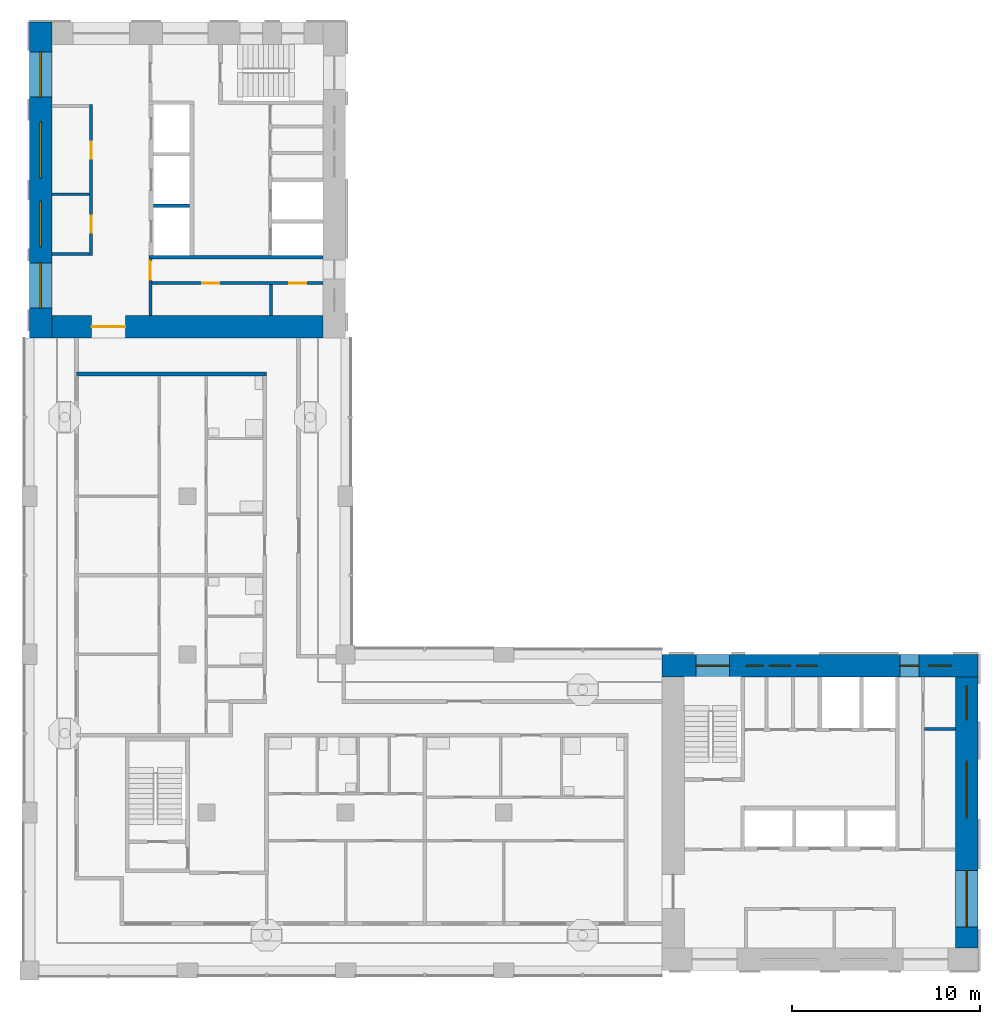
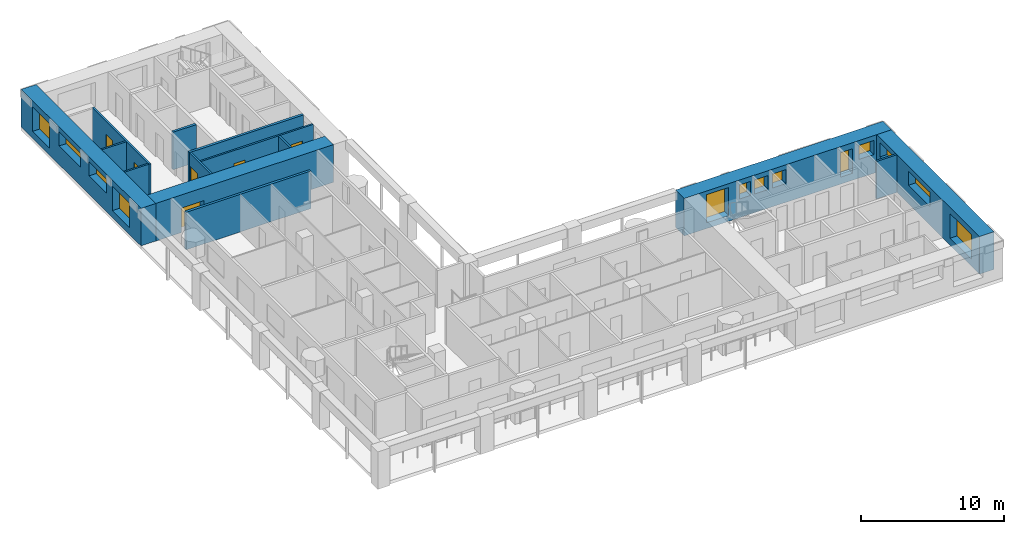
# One storey, part 5 of 12: 14 walls, 13 windows, 6 doors, 19 openings.
"""IFC4 building model written with IfcOpenShell, lengths in metres."""

from ifc_helpers import new_model, si_unit, direction, frame, frame_2d, origin, place, context, subcontext, project, spatial, rectangle, extrude, material, layer, layer_set, type_object, element, fill, save


model = new_model("IFC4")

# Units and contexts
model_context = context("Model", 3, precision=1e-05, world=origin(), true_north=direction((0.0, 1.0)))
body_context = subcontext(model_context, "Body", "Model", "MODEL_VIEW")
ifc_project = project(units=[si_unit("LENGTHUNIT", "METRE"), si_unit("AREAUNIT", "SQUARE_METRE"), si_unit("VOLUMEUNIT", "CUBIC_METRE"), si_unit("PLANEANGLEUNIT", "RADIAN"), si_unit("MASSUNIT", "GRAM", prefix="KILO")], contexts=[model_context])

# Site, building, storey
site_placement = place(None, origin())
site = spatial("IfcSite", under=ifc_project, at=site_placement, CompositionType="ELEMENT")
building_placement = place(site_placement, origin())
building = spatial("IfcBuilding", under=site, at=building_placement, Name="Vermilion Gate Residences", CompositionType="ELEMENT")
storey_placement = place(building_placement, frame((0.0, 0.0, 214.199951171875)))
storey = spatial("IfcBuildingStorey", under=building, at=storey_placement, Name="L55", CompositionType="ELEMENT", Elevation=214.199951171875)

# Walls
ifc_material_1 = material(Name="Masonry blockwork", Category="masonry")
ifc_layer_1 = layer(ifc_material_1, 0.14990234375)
ifc_layer_set_1 = layer_set([ifc_layer_1], Name="BLOCKWORK PARTITION 150 EI 120")
wall_type_1 = type_object("IfcWallType", Name="BLOCKWORK PARTITION 150 EI 120", PredefinedType="PARTITIONING", material=ifc_layer_set_1)
wall_1_placement = place(storey_placement, frame((55.949951171875, 21.239990234375, 0.0), z_axis=(0.0, 0.0, 1.0), x_axis=(1.0, 0.0, 0.0)))
element("IfcWall", 1, at=wall_1_placement, inside=storey, type_object=wall_type_1, Name="Core room partition A55-ES-P0", PredefinedType="PARTITIONING", context=body_context, shape_type="SweptSolid", body=[
    extrude(rectangle(XDim=1.650146484375, YDim=0.14990234375, at=frame_2d((0.8251953125, 0.0))), origin(), (0.0, 0.0, 1.0), 3.219970703125),
])
for number, where, z_axis, x_axis, name in (
    (2, (9.60009765625, 46.47509765625, 0.0), (0.0, 0.0, 1.0), (1.0, 0.0, 0.0), "Core room partition B55-RW-E"),
    (3, (9.60009765625, 49.64501953125, 0.0), (0.0, 0.0, 1.0), (1.0, 0.0, 0.0), "Core room partition B55-SR-P0"),
):
    element("IfcWall", number, at=place(storey_placement, frame(where, z_axis=z_axis, x_axis=x_axis)), inside=storey, type_object=wall_type_1, Name=name, PredefinedType="PARTITIONING", context=body_context, shape_type="SweptSolid", body=[
        extrude(rectangle(XDim=2.0, YDim=0.14990234375, at=frame_2d((1.0, 0.0))), origin(), (0.0, 0.0, 1.0), 3.219970703125),
    ])

# Wall, openings, doors
wall_2_placement = place(storey_placement, frame((11.675048828125, 54.39990234375, 0.0), z_axis=(0.0, 0.0, 1.0), x_axis=(0.0, -1.0, 0.0)))
wall_2 = element("IfcWall", 4, at=wall_2_placement, inside=storey, type_object=wall_type_1, Name="Core room partition B55-LR-F", PredefinedType="PARTITIONING", context=body_context, shape_type="SweptSolid", body=[
    extrude(rectangle(XDim=8.0, YDim=0.14990234375, at=frame_2d((4.0, 0.0))), origin(), (0.0, 0.0, 1.0), 3.219970703125),
])
opening_1_placement = place(wall_2_placement, frame((1.965087890625, 0.0, 0.0)))
opening_1 = element("IfcOpeningElement", 5, at=opening_1_placement, cuts=wall_2, Name="Opening DK55102", PredefinedType="OPENING", context=body_context, shape_type="SweptSolid", body=[
    extrude(rectangle(XDim=0.89990234375, YDim=2.10009765625, at=frame_2d((0.449951171875, 1.050048828125))), frame((0.0, 0.0849609375, 0.0), z_axis=(0.0, -1.0, 0.0), x_axis=(1.0, 0.0, 0.0)), (0.0, 0.0, 1.0), 0.169921875),
])
opening_2_placement = place(wall_2_placement, frame((5.889892578125, 0.0, 0.0)))
opening_2 = element("IfcOpeningElement", 6, at=opening_2_placement, cuts=wall_2, Name="Opening DK55103", PredefinedType="OPENING", context=body_context, shape_type="SweptSolid", body=[
    extrude(rectangle(XDim=0.89990234375, YDim=2.10009765625, at=frame_2d((0.449951171875, 1.050048828125))), frame((0.0, 0.0849609375, 0.0), z_axis=(0.0, -1.0, 0.0), x_axis=(1.0, 0.0, 0.0)), (0.0, 0.0, 1.0), 0.169921875),
])
ifc_material_2 = material(Name="Steel", Category="steel")
door_type_1 = type_object("IfcDoorType", Name="SERVICE ROOM DOOR FD60 900 X 2100", OperationType="SINGLE_SWING_LEFT", PredefinedType="DOOR", material=ifc_material_2)
door_1_placement = place(opening_1_placement, frame((0.89990234375, 0.0, 0.0), z_axis=(0.0, 0.0, 1.0), x_axis=(-1.0, 0.0, 0.0)))
door_1 = element("IfcDoor", 7, at=door_1_placement, inside=storey, type_object=door_type_1, Name="Housekeeping store B55", OperationType="SINGLE_SWING_LEFT", OverallHeight=2.10009765625, OverallWidth=0.89990234375, PredefinedType="DOOR", context=body_context, shape_type="SweptSolid", body=[
    extrude(rectangle(XDim=0.89990234375, YDim=2.10009765625, at=frame_2d((0.449951171875, 1.050048828125))), frame((0.0, 0.02490234375, 0.0), z_axis=(0.0, -1.0, 0.0), x_axis=(1.0, 0.0, 0.0)), (0.0, 0.0, 1.0), 0.050048828125),
])
fill(opening_1, door_1)
door_2_placement = place(opening_2_placement, frame((0.89990234375, 0.0, 0.0), z_axis=(0.0, 0.0, 1.0), x_axis=(-1.0, 0.0, 0.0)))
door_2 = element("IfcDoor", 8, at=door_2_placement, inside=storey, type_object=door_type_1, Name="Fire equipment store B55", OperationType="SINGLE_SWING_LEFT", OverallHeight=2.10009765625, OverallWidth=0.89990234375, PredefinedType="DOOR", context=body_context, shape_type="SweptSolid", body=[
    extrude(rectangle(XDim=0.89990234375, YDim=2.10009765625, at=frame_2d((0.449951171875, 1.050048828125))), frame((0.0, 0.02490234375, 0.0), z_axis=(0.0, -1.0, 0.0), x_axis=(1.0, 0.0, 0.0)), (0.0, 0.0, 1.0), 0.050048828125),
])
fill(opening_2, door_2)

# Wall, opening, door
wall_3_placement = place(storey_placement, frame((14.824951171875, 46.199951171875, 0.0), z_axis=(0.0, 0.0, 1.0), x_axis=(0.0, -1.0, 0.0)))
wall_3 = element("IfcWall", 9, at=wall_3_placement, inside=storey, type_object=wall_type_1, Name="Core room partition B55-ES-S", PredefinedType="PARTITIONING", context=body_context, shape_type="SweptSolid", body=[
    extrude(rectangle(XDim=3.0, YDim=0.14990234375, at=frame_2d((1.5, 0.0))), origin(), (0.0, 0.0, 1.0), 3.219970703125),
])
opening_3_placement = place(wall_3_placement, frame((0.10009765625, 0.0, 0.0)))
opening_3 = element("IfcOpeningElement", 10, at=opening_3_placement, cuts=wall_3, Name="Opening DK55114", PredefinedType="OPENING", context=body_context, shape_type="SweptSolid", body=[
    extrude(rectangle(XDim=1.0, YDim=2.10009765625, at=frame_2d((0.5, 1.050048828125))), frame((0.0, 0.0849609375, 0.0), z_axis=(0.0, -1.0, 0.0), x_axis=(1.0, 0.0, 0.0)), (0.0, 0.0, 1.0), 0.169921875),
])
ifc_material_3 = material(Name="Steel", Category="steel")
door_type_2 = type_object("IfcDoorType", Name="FIRE DOOR FD60 1000 X 2100", OperationType="SINGLE_SWING_LEFT", PredefinedType="DOOR", material=ifc_material_3)
door_3_placement = place(opening_3_placement, frame((1.0, 0.0, 0.0), z_axis=(0.0, 0.0, 1.0), x_axis=(-1.0, 0.0, 0.0)))
door_3 = element("IfcDoor", 11, at=door_3_placement, inside=storey, type_object=door_type_2, Name="Service corridor door B55", OperationType="SINGLE_SWING_LEFT", OverallHeight=2.10009765625, OverallWidth=1.0, PredefinedType="DOOR", context=body_context, shape_type="SweptSolid", body=[
    extrude(rectangle(XDim=1.0, YDim=2.10009765625, at=frame_2d((0.5, 1.050048828125))), frame((0.0, 0.02490234375, 0.0), z_axis=(0.0, -1.0, 0.0), x_axis=(1.0, 0.0, 0.0)), (0.0, 0.0, 1.0), 0.050048828125),
])
fill(opening_3, door_3)

# Wall
wall_4_placement = place(storey_placement, frame((21.239990234375, 44.85009765625, 0.0), z_axis=(0.0, 0.0, 1.0), x_axis=(0.0, -1.0, 0.0)))
element("IfcWall", 12, at=wall_4_placement, inside=storey, type_object=wall_type_1, Name="Core room partition B55-ES-P0", PredefinedType="PARTITIONING", context=body_context, shape_type="SweptSolid", body=[
    extrude(rectangle(XDim=1.650146484375, YDim=0.14990234375, at=frame_2d((0.8251953125, 0.0))), origin(), (0.0, 0.0, 1.0), 3.219970703125),
])

# Wall, openings, doors
wall_5_placement = place(storey_placement, frame((14.89990234375, 44.925048828125, 0.0), z_axis=(0.0, 0.0, 1.0), x_axis=(1.0, 0.0, 0.0)))
wall_5 = element("IfcWall", 13, at=wall_5_placement, inside=storey, type_object=wall_type_1, Name="Core room partition B55-ES-W", PredefinedType="PARTITIONING", context=body_context, shape_type="SweptSolid", body=[
    extrude(rectangle(XDim=9.10009765625, YDim=0.14990234375, at=frame_2d((4.550048828125, 0.0))), origin(), (0.0, 0.0, 1.0), 3.219970703125),
])
opening_4_placement = place(wall_5_placement, frame((2.6826171875, 0.0, 0.0)))
opening_4 = element("IfcOpeningElement", 14, at=opening_4_placement, cuts=wall_5, Name="Opening DK55115", PredefinedType="OPENING", context=body_context, shape_type="SweptSolid", body=[
    extrude(rectangle(XDim=0.89990234375, YDim=2.10009765625, at=frame_2d((0.449951171875, 1.050048828125))), frame((0.0, 0.0849609375, 0.0), z_axis=(0.0, -1.0, 0.0), x_axis=(1.0, 0.0, 0.0)), (0.0, 0.0, 1.0), 0.169921875),
])
opening_5_placement = place(wall_5_placement, frame((7.3076171875, 0.0, 0.0)))
opening_5 = element("IfcOpeningElement", 15, at=opening_5_placement, cuts=wall_5, Name="Opening DK55116", PredefinedType="OPENING", context=body_context, shape_type="SweptSolid", body=[
    extrude(rectangle(XDim=0.89990234375, YDim=2.10009765625, at=frame_2d((0.449951171875, 1.050048828125))), frame((0.0, 0.0849609375, 0.0), z_axis=(0.0, -1.0, 0.0), x_axis=(1.0, 0.0, 0.0)), (0.0, 0.0, 1.0), 0.169921875),
])
door_4_placement = place(opening_4_placement, frame((0.89990234375, 0.0, 0.0), z_axis=(0.0, 0.0, 1.0), x_axis=(-1.0, 0.0, 0.0)))
door_4 = element("IfcDoor", 16, at=door_4_placement, inside=storey, type_object=door_type_1, Name="Electrical room B55", OperationType="SINGLE_SWING_LEFT", OverallHeight=2.10009765625, OverallWidth=0.89990234375, PredefinedType="DOOR", context=body_context, shape_type="SweptSolid", body=[
    extrude(rectangle(XDim=0.89990234375, YDim=2.10009765625, at=frame_2d((0.449951171875, 1.050048828125))), frame((0.0, 0.02490234375, 0.0), z_axis=(0.0, -1.0, 0.0), x_axis=(1.0, 0.0, 0.0)), (0.0, 0.0, 1.0), 0.050048828125),
])
fill(opening_4, door_4)
door_5_placement = place(opening_5_placement, frame((0.89990234375, 0.0, 0.0), z_axis=(0.0, 0.0, 1.0), x_axis=(-1.0, 0.0, 0.0)))
door_5 = element("IfcDoor", 17, at=door_5_placement, inside=storey, type_object=door_type_1, Name="Storage room B55", OperationType="SINGLE_SWING_LEFT", OverallHeight=2.10009765625, OverallWidth=0.89990234375, PredefinedType="DOOR", context=body_context, shape_type="SweptSolid", body=[
    extrude(rectangle(XDim=0.89990234375, YDim=2.10009765625, at=frame_2d((0.449951171875, 1.050048828125))), frame((0.0, 0.02490234375, 0.0), z_axis=(0.0, -1.0, 0.0), x_axis=(1.0, 0.0, 0.0)), (0.0, 0.0, 1.0), 0.050048828125),
])
fill(opening_5, door_5)

# Walls
ifc_material_4 = material(Name="Fire-rated plasterboard on steel studs", Category="steel")
ifc_layer_2 = layer(ifc_material_4, 0.199951171875)
ifc_layer_set_2 = layer_set([ifc_layer_2], Name="PARTY WALL 200 EI 120")
wall_type_2 = type_object("IfcWallType", Name="PARTY WALL 200 EI 120", PredefinedType="PARTITIONING", material=ifc_layer_set_2)
wall_6_placement = place(storey_placement, frame((10.89990234375, 40.10009765625, 0.0), z_axis=(0.0, 0.0, 1.0), x_axis=(1.0, 0.0, 0.0)))
element("IfcWall", 18, at=wall_6_placement, inside=storey, type_object=wall_type_2, Name="Party and corridor wall", PredefinedType="PARTITIONING", context=body_context, shape_type="SweptSolid", body=[
    extrude(rectangle(XDim=10.10009765625, YDim=0.199951171875, at=frame_2d((5.050048828125, 0.0))), origin(), (0.0, 0.0, 1.0), 3.219970703125),
])
ifc_material_5 = material(Name="Concrete C60", Category="concrete")
ifc_layer_3 = layer(ifc_material_5, 0.199951171875)
ifc_layer_set_3 = layer_set([ifc_layer_3], Name="RC CORE INTERNAL WALL 200 C60")
wall_type_3 = type_object("IfcWallType", Name="RC CORE INTERNAL WALL 200 C60", PredefinedType="SHEAR", material=ifc_layer_set_3)
wall_7_placement = place(storey_placement, frame((15.0, 49.033447265625, 0.0), z_axis=(0.0, 0.0, 1.0), x_axis=(1.0, 0.0, 0.0)))
element("IfcWall", 19, at=wall_7_placement, inside=storey, type_object=wall_type_3, Name="Core internal wall B55-HR-D2", PredefinedType="SHEAR", context=body_context, shape_type="SweptSolid", body=[
    extrude(rectangle(XDim=1.89990234375, YDim=0.199951171875, at=frame_2d((0.949951171875, 0.0))), origin(), (0.0, 0.0, 1.0), 3.219970703125),
])
wall_8_placement = place(storey_placement, frame((14.75, 46.300048828125, 0.0), z_axis=(0.0, 0.0, 1.0), x_axis=(1.0, 0.0, 0.0)))
element("IfcWall", 20, at=wall_8_placement, inside=storey, type_object=wall_type_3, Name="Core internal wall B55-EDIV", PredefinedType="SHEAR", context=body_context, shape_type="SweptSolid", body=[
    extrude(rectangle(XDim=9.25, YDim=0.199951171875, at=frame_2d((4.625, 0.0))), origin(), (0.0, 0.0, 1.0), 3.219970703125),
])

# Wall, opening, door
ifc_material_6 = material(Name="Concrete C50", Category="concrete")
ifc_layer_4 = layer(ifc_material_6, 1.199951171875)
ifc_layer_set_4 = layer_set([ifc_layer_4], Name="RC CORE WALL 1200 C50")
wall_type_4 = type_object("IfcWallType", Name="RC CORE WALL 1200 C50", PredefinedType="SHEAR", material=ifc_layer_set_4)
wall_9_placement = place(storey_placement, frame((9.60009765625, 42.60009765625, 0.0), z_axis=(0.0, 0.0, 1.0), x_axis=(1.0, 0.0, 0.0)))
wall_9 = element("IfcWall", 21, at=wall_9_placement, inside=storey, type_object=wall_type_4, Name="Core wall B55-OUT-BK", PredefinedType="SHEAR", context=body_context, shape_type="SweptSolid", body=[
    extrude(rectangle(XDim=14.39990234375, YDim=1.199951171875, at=frame_2d((7.199951171875, 0.0))), origin(), (0.0, 0.0, 1.0), 3.219970703125),
])
opening_6_placement = place(wall_9_placement, frame((2.10009765625, 0.0, 0.0)))
opening_6 = element("IfcOpeningElement", 22, at=opening_6_placement, cuts=wall_9, Name="Opening DK55101", PredefinedType="OPENING", context=body_context, shape_type="SweptSolid", body=[
    extrude(rectangle(XDim=1.800048828125, YDim=2.10009765625, at=frame_2d((0.89990234375, 1.050048828125))), frame((0.0, 0.60986328125, 0.0), z_axis=(0.0, -1.0, 0.0), x_axis=(1.0, 0.0, 0.0)), (0.0, 0.0, 1.0), 1.219970703125),
])
ifc_material_7 = material(Name="Steel", Category="steel")
door_type_3 = type_object("IfcDoorType", Name="CORE LOBBY DOOR FD60 1800 X 2100", OperationType="DOUBLE_DOOR_SINGLE_SWING", PredefinedType="DOOR", material=ifc_material_7)
door_6_placement = place(opening_6_placement, frame((1.800048828125, 0.0, 0.0), z_axis=(0.0, 0.0, 1.0), x_axis=(-1.0, 0.0, 0.0)))
door_6 = element("IfcDoor", 23, at=door_6_placement, inside=storey, type_object=door_type_3, Name="Core lobby door B55", OperationType="DOUBLE_DOOR_SINGLE_SWING", OverallHeight=2.10009765625, OverallWidth=1.800048828125, PredefinedType="DOOR", context=body_context, shape_type="SweptSolid", body=[
    extrude(rectangle(XDim=1.800048828125, YDim=2.10009765625, at=frame_2d((0.89990234375, 1.050048828125))), frame((0.0, 0.02490234375, 0.0), z_axis=(0.0, -1.0, 0.0), x_axis=(1.0, 0.0, 0.0)), (0.0, 0.0, 1.0), 0.050048828125),
])
fill(opening_6, door_6)

# Wall, openings, windows
ifc_material_8 = material(Name="Concrete C50 red-oxide pigmented", Category="concrete")
ifc_layer_5 = layer(ifc_material_8, 1.199951171875)
ifc_layer_set_5 = layer_set([ifc_layer_5], Name="RC CORE WALL 1200 C50 RED OXIDE")
wall_type_5 = type_object("IfcWallType", Name="RC CORE WALL 1200 C50 RED OXIDE", PredefinedType="SHEAR", material=ifc_layer_set_5)
wall_10_placement = place(storey_placement, frame((42.0, 24.60009765625, 0.0), z_axis=(0.0, 0.0, 1.0), x_axis=(1.0, 0.0, 0.0)))
wall_10 = element("IfcWall", 24, at=wall_10_placement, inside=storey, type_object=wall_type_5, Name="Core wall A55-OUT-B1", PredefinedType="SHEAR", context=body_context, shape_type="SweptSolid", body=[
    extrude(rectangle(XDim=16.800048828125, YDim=1.199951171875, at=frame_2d((8.39990234375, 0.0))), origin(), (0.0, 0.0, 1.0), 3.219970703125),
])
opening_7_placement = place(wall_10_placement, frame((1.800048828125, 0.0, 0.5)))
opening_7 = element("IfcOpeningElement", 25, at=opening_7_placement, cuts=wall_10, Name="Opening WKA5505", PredefinedType="OPENING", context=body_context, shape_type="SweptSolid", body=[
    extrude(rectangle(XDim=1.800048828125, YDim=2.39990234375, at=frame_2d((0.89990234375, 1.199951171875))), frame((0.0, 0.60986328125, 0.0), z_axis=(0.0, -1.0, 0.0), x_axis=(1.0, 0.0, 0.0)), (0.0, 0.0, 1.0), 1.219970703125),
])
opening_8_placement = place(wall_10_placement, frame((4.489990234375, 0.0, 1.60009765625)))
opening_8 = element("IfcOpeningElement", 26, at=opening_8_placement, cuts=wall_10, Name="Opening WKA5506", PredefinedType="OPENING", context=body_context, shape_type="SweptSolid", body=[
    extrude(rectangle(XDim=0.89990234375, YDim=1.199951171875, at=frame_2d((0.449951171875, 0.60009765625))), frame((0.0, 0.60986328125, 0.0), z_axis=(0.0, -1.0, 0.0), x_axis=(1.0, 0.0, 0.0)), (0.0, 0.0, 1.0), 1.219970703125),
])
opening_9_placement = place(wall_10_placement, frame((5.7099609375, 0.0, 1.60009765625)))
opening_9 = element("IfcOpeningElement", 27, at=opening_9_placement, cuts=wall_10, Name="Opening WKA5507", PredefinedType="OPENING", context=body_context, shape_type="SweptSolid", body=[
    extrude(rectangle(XDim=1.10009765625, YDim=1.199951171875, at=frame_2d((0.550048828125, 0.60009765625))), frame((0.0, 0.60986328125, 0.0), z_axis=(0.0, -1.0, 0.0), x_axis=(1.0, 0.0, 0.0)), (0.0, 0.0, 1.0), 1.219970703125),
])
opening_10_placement = place(wall_10_placement, frame((7.14990234375, 0.0, 1.60009765625)))
opening_10 = element("IfcOpeningElement", 28, at=opening_10_placement, cuts=wall_10, Name="Opening WKA5508", PredefinedType="OPENING", context=body_context, shape_type="SweptSolid", body=[
    extrude(rectangle(XDim=1.10009765625, YDim=1.199951171875, at=frame_2d((0.550048828125, 0.60009765625))), frame((0.0, 0.60986328125, 0.0), z_axis=(0.0, -1.0, 0.0), x_axis=(1.0, 0.0, 0.0)), (0.0, 0.0, 1.0), 1.219970703125),
])
opening_11_placement = place(wall_10_placement, frame((12.64990234375, 0.0, 0.60009765625)))
opening_11 = element("IfcOpeningElement", 29, at=opening_11_placement, cuts=wall_10, Name="Opening WKA5509", PredefinedType="OPENING", context=body_context, shape_type="SweptSolid", body=[
    extrude(rectangle(XDim=1.0, YDim=2.10009765625, at=frame_2d((0.5, 1.050048828125))), frame((0.0, 0.60986328125, 0.0), z_axis=(0.0, -1.0, 0.0), x_axis=(1.0, 0.0, 0.0)), (0.0, 0.0, 1.0), 1.219970703125),
])
opening_12_placement = place(wall_10_placement, frame((14.175048828125, 0.0, 1.60009765625)))
opening_12 = element("IfcOpeningElement", 30, at=opening_12_placement, cuts=wall_10, Name="Opening WKA5510", PredefinedType="OPENING", context=body_context, shape_type="SweptSolid", body=[
    extrude(rectangle(XDim=1.199951171875, YDim=1.199951171875, at=frame_2d((0.60009765625, 0.60009765625))), frame((0.0, 0.60986328125, 0.0), z_axis=(0.0, -1.0, 0.0), x_axis=(1.0, 0.0, 0.0)), (0.0, 0.0, 1.0), 1.219970703125),
])
ifc_material_9 = material(Name="Aluminium and clear glass", Category="aluminium")
window_type_1 = type_object("IfcWindowType", Name="CORE CORRIDOR WINDOW 1000 X 2100", PartitioningType="SINGLE_PANEL", PredefinedType="WINDOW", material=ifc_material_9)
window_1_placement = place(opening_11_placement, origin())
window_1 = element("IfcWindow", 31, at=window_1_placement, inside=storey, type_object=window_type_1, Name="Core corridor window", OverallHeight=2.10009765625, OverallWidth=1.0, PartitioningType="SINGLE_PANEL", PredefinedType="WINDOW", context=body_context, shape_type="SweptSolid", body=[
    extrude(rectangle(XDim=1.0, YDim=2.10009765625, at=frame_2d((0.5, 1.050048828125))), frame((0.0, 0.030029296875, 0.0), z_axis=(0.0, -1.0, 0.0), x_axis=(1.0, 0.0, 0.0)), (0.0, 0.0, 1.0), 0.06005859375),
])
fill(opening_11, window_1)
ifc_material_10 = material(Name="Aluminium frame with louvre blades", Category="aluminium")
window_type_2 = type_object("IfcWindowType", Name="CORE LOUVRE 1100 X 1200", PartitioningType="SINGLE_PANEL", PredefinedType="WINDOW", material=ifc_material_10)
window_2_placement = place(opening_9_placement, origin())
window_2 = element("IfcWindow", 32, at=window_2_placement, inside=storey, type_object=window_type_2, Name="Core louvre", OverallHeight=1.199951171875, OverallWidth=1.10009765625, PartitioningType="SINGLE_PANEL", PredefinedType="WINDOW", context=body_context, shape_type="SweptSolid", body=[
    extrude(rectangle(XDim=1.10009765625, YDim=1.199951171875, at=frame_2d((0.550048828125, 0.60009765625))), frame((0.0, 0.030029296875, 0.0), z_axis=(0.0, -1.0, 0.0), x_axis=(1.0, 0.0, 0.0)), (0.0, 0.0, 1.0), 0.06005859375),
])
fill(opening_9, window_2)
window_3_placement = place(opening_10_placement, origin())
window_3 = element("IfcWindow", 33, at=window_3_placement, inside=storey, type_object=window_type_2, Name="Core louvre", OverallHeight=1.199951171875, OverallWidth=1.10009765625, PartitioningType="SINGLE_PANEL", PredefinedType="WINDOW", context=body_context, shape_type="SweptSolid", body=[
    extrude(rectangle(XDim=1.10009765625, YDim=1.199951171875, at=frame_2d((0.550048828125, 0.60009765625))), frame((0.0, 0.030029296875, 0.0), z_axis=(0.0, -1.0, 0.0), x_axis=(1.0, 0.0, 0.0)), (0.0, 0.0, 1.0), 0.06005859375),
])
fill(opening_10, window_3)
ifc_material_11 = material(Name="Aluminium frame with louvre blades", Category="aluminium")
window_type_3 = type_object("IfcWindowType", Name="CORE LOUVRE 1200 X 1200", PartitioningType="SINGLE_PANEL", PredefinedType="WINDOW", material=ifc_material_11)
window_4_placement = place(opening_12_placement, origin())
window_4 = element("IfcWindow", 34, at=window_4_placement, inside=storey, type_object=window_type_3, Name="Core louvre", OverallHeight=1.199951171875, OverallWidth=1.199951171875, PartitioningType="SINGLE_PANEL", PredefinedType="WINDOW", context=body_context, shape_type="SweptSolid", body=[
    extrude(rectangle(XDim=1.199951171875, YDim=1.199951171875, at=frame_2d((0.60009765625, 0.60009765625))), frame((0.0, 0.030029296875, 0.0), z_axis=(0.0, -1.0, 0.0), x_axis=(1.0, 0.0, 0.0)), (0.0, 0.0, 1.0), 0.06005859375),
])
fill(opening_12, window_4)
ifc_material_12 = material(Name="Aluminium frame with louvre blades", Category="aluminium")
window_type_4 = type_object("IfcWindowType", Name="CORE LOUVRE 900 X 1200", PartitioningType="SINGLE_PANEL", PredefinedType="WINDOW", material=ifc_material_12)
window_5_placement = place(opening_8_placement, origin())
window_5 = element("IfcWindow", 35, at=window_5_placement, inside=storey, type_object=window_type_4, Name="Core louvre", OverallHeight=1.199951171875, OverallWidth=0.89990234375, PartitioningType="SINGLE_PANEL", PredefinedType="WINDOW", context=body_context, shape_type="SweptSolid", body=[
    extrude(rectangle(XDim=0.89990234375, YDim=1.199951171875, at=frame_2d((0.449951171875, 0.60009765625))), frame((0.0, 0.030029296875, 0.0), z_axis=(0.0, -1.0, 0.0), x_axis=(1.0, 0.0, 0.0)), (0.0, 0.0, 1.0), 0.06005859375),
])
fill(opening_8, window_5)
ifc_material_13 = material(Name="Aluminium and clear glass", Category="aluminium")
window_type_5 = type_object("IfcWindowType", Name="CORE STAIR WINDOW 1800 X 2400", PartitioningType="SINGLE_PANEL", PredefinedType="WINDOW", material=ifc_material_13)
window_6_placement = place(opening_7_placement, origin())
window_6 = element("IfcWindow", 36, at=window_6_placement, inside=storey, type_object=window_type_5, Name="Core stair window", OverallHeight=2.39990234375, OverallWidth=1.800048828125, PartitioningType="SINGLE_PANEL", PredefinedType="WINDOW", context=body_context, shape_type="SweptSolid", body=[
    extrude(rectangle(XDim=1.800048828125, YDim=2.39990234375, at=frame_2d((0.89990234375, 1.199951171875))), frame((0.0, 0.030029296875, 0.0), z_axis=(0.0, -1.0, 0.0), x_axis=(1.0, 0.0, 0.0)), (0.0, 0.0, 1.0), 0.06005859375),
])
fill(opening_7, window_6)

wall_11_placement = place(storey_placement, frame((58.199951171875, 9.60009765625, 0.0), z_axis=(0.0, 0.0, 1.0), x_axis=(0.0, 1.0, 0.0)))
wall_11 = element("IfcWall", 37, at=wall_11_placement, inside=storey, type_object=wall_type_5, Name="Core wall A55-OUT-BK", PredefinedType="SHEAR", context=body_context, shape_type="SweptSolid", body=[
    extrude(rectangle(XDim=14.39990234375, YDim=1.199951171875, at=frame_2d((7.199951171875, 0.0))), origin(), (0.0, 0.0, 1.0), 3.219970703125),
])
opening_13_placement = place(wall_11_placement, frame((1.10498046875, 0.0, 0.60009765625)))
opening_13 = element("IfcOpeningElement", 38, at=opening_13_placement, cuts=wall_11, Name="Opening WKA5511", PredefinedType="OPENING", context=body_context, shape_type="SweptSolid", body=[
    extrude(rectangle(XDim=3.0, YDim=2.10009765625, at=frame_2d((1.5, 1.050048828125))), frame((0.0, 0.60986328125, 0.0), z_axis=(0.0, -1.0, 0.0), x_axis=(1.0, 0.0, 0.0)), (0.0, 0.0, 1.0), 1.219970703125),
])
opening_14_placement = place(wall_11_placement, frame((6.9326171875, 0.0, 1.60009765625)))
opening_14 = element("IfcOpeningElement", 39, at=opening_14_placement, cuts=wall_11, Name="Opening WKA5512", PredefinedType="OPENING", context=body_context, shape_type="SweptSolid", body=[
    extrude(rectangle(XDim=3.0, YDim=1.199951171875, at=frame_2d((1.5, 0.60009765625))), frame((0.0, 0.60986328125, 0.0), z_axis=(0.0, -1.0, 0.0), x_axis=(1.0, 0.0, 0.0)), (0.0, 0.0, 1.0), 1.219970703125),
])
opening_15_placement = place(wall_11_placement, frame((12.12744140625, 0.0, 1.60009765625)))
opening_15 = element("IfcOpeningElement", 40, at=opening_15_placement, cuts=wall_11, Name="Opening WKA5513", PredefinedType="OPENING", context=body_context, shape_type="SweptSolid", body=[
    extrude(rectangle(XDim=1.800048828125, YDim=1.199951171875, at=frame_2d((0.89990234375, 0.60009765625))), frame((0.0, 0.60986328125, 0.0), z_axis=(0.0, -1.0, 0.0), x_axis=(1.0, 0.0, 0.0)), (0.0, 0.0, 1.0), 1.219970703125),
])
ifc_material_14 = material(Name="Aluminium and clear glass", Category="aluminium")
window_type_6 = type_object("IfcWindowType", Name="CORE LOBBY WINDOW 3000 X 2100", PartitioningType="SINGLE_PANEL", PredefinedType="WINDOW", material=ifc_material_14)
window_7_placement = place(opening_13_placement, origin())
window_7 = element("IfcWindow", 41, at=window_7_placement, inside=storey, type_object=window_type_6, Name="Core lobby window", OverallHeight=2.10009765625, OverallWidth=3.0, PartitioningType="SINGLE_PANEL", PredefinedType="WINDOW", context=body_context, shape_type="SweptSolid", body=[
    extrude(rectangle(XDim=3.0, YDim=2.10009765625, at=frame_2d((1.5, 1.050048828125))), frame((0.0, 0.030029296875, 0.0), z_axis=(0.0, -1.0, 0.0), x_axis=(1.0, 0.0, 0.0)), (0.0, 0.0, 1.0), 0.06005859375),
])
fill(opening_13, window_7)
ifc_material_15 = material(Name="Aluminium frame with louvre blades", Category="aluminium")
window_type_7 = type_object("IfcWindowType", Name="CORE LOUVRE 1800 X 1200", PartitioningType="SINGLE_PANEL", PredefinedType="WINDOW", material=ifc_material_15)
window_8_placement = place(opening_15_placement, origin())
window_8 = element("IfcWindow", 42, at=window_8_placement, inside=storey, type_object=window_type_7, Name="Core louvre", OverallHeight=1.199951171875, OverallWidth=1.800048828125, PartitioningType="SINGLE_PANEL", PredefinedType="WINDOW", context=body_context, shape_type="SweptSolid", body=[
    extrude(rectangle(XDim=1.800048828125, YDim=1.199951171875, at=frame_2d((0.89990234375, 0.60009765625))), frame((0.0, 0.030029296875, 0.0), z_axis=(0.0, -1.0, 0.0), x_axis=(1.0, 0.0, 0.0)), (0.0, 0.0, 1.0), 0.06005859375),
])
fill(opening_15, window_8)
ifc_material_16 = material(Name="Aluminium frame with louvre blades", Category="aluminium")
window_type_8 = type_object("IfcWindowType", Name="CORE LOUVRE 3000 X 1200", PartitioningType="SINGLE_PANEL", PredefinedType="WINDOW", material=ifc_material_16)
window_9_placement = place(opening_14_placement, origin())
window_9 = element("IfcWindow", 43, at=window_9_placement, inside=storey, type_object=window_type_8, Name="Core louvre", OverallHeight=1.199951171875, OverallWidth=3.0, PartitioningType="SINGLE_PANEL", PredefinedType="WINDOW", context=body_context, shape_type="SweptSolid", body=[
    extrude(rectangle(XDim=3.0, YDim=1.199951171875, at=frame_2d((1.5, 0.60009765625))), frame((0.0, 0.030029296875, 0.0), z_axis=(0.0, -1.0, 0.0), x_axis=(1.0, 0.0, 0.0)), (0.0, 0.0, 1.0), 0.06005859375),
])
fill(opening_14, window_9)

wall_12_placement = place(storey_placement, frame((9.0, 58.800048828125, 0.0), z_axis=(0.0, 0.0, 1.0), x_axis=(0.0, -1.0, 0.0)))
wall_12 = element("IfcWall", 44, at=wall_12_placement, inside=storey, type_object=wall_type_5, Name="Core wall B55-OUT-B0", PredefinedType="SHEAR", context=body_context, shape_type="SweptSolid", body=[
    extrude(rectangle(XDim=16.800048828125, YDim=1.199951171875, at=frame_2d((8.39990234375, 0.0))), origin(), (0.0, 0.0, 1.0), 3.219970703125),
])
opening_16_placement = place(wall_12_placement, frame((1.60009765625, 0.0, 0.60009765625)))
opening_16 = element("IfcOpeningElement", 45, at=opening_16_placement, cuts=wall_12, Name="Opening WKB5501", PredefinedType="OPENING", context=body_context, shape_type="SweptSolid", body=[
    extrude(rectangle(XDim=2.39990234375, YDim=2.10009765625, at=frame_2d((1.199951171875, 1.050048828125))), frame((0.0, 0.60986328125, 0.0), z_axis=(0.0, -1.0, 0.0), x_axis=(1.0, 0.0, 0.0)), (0.0, 0.0, 1.0), 1.219970703125),
])
opening_17_placement = place(wall_12_placement, frame((5.31494140625, 0.0, 1.60009765625)))
opening_17 = element("IfcOpeningElement", 46, at=opening_17_placement, cuts=wall_12, Name="Opening WKB5502", PredefinedType="OPENING", context=body_context, shape_type="SweptSolid", body=[
    extrude(rectangle(XDim=3.0, YDim=1.199951171875, at=frame_2d((1.5, 0.60009765625))), frame((0.0, 0.60986328125, 0.0), z_axis=(0.0, -1.0, 0.0), x_axis=(1.0, 0.0, 0.0)), (0.0, 0.0, 1.0), 1.219970703125),
])
opening_18_placement = place(wall_12_placement, frame((9.5400390625, 0.0, 1.60009765625)))
opening_18 = element("IfcOpeningElement", 47, at=opening_18_placement, cuts=wall_12, Name="Opening WKB5503", PredefinedType="OPENING", context=body_context, shape_type="SweptSolid", body=[
    extrude(rectangle(XDim=2.39990234375, YDim=1.199951171875, at=frame_2d((1.199951171875, 0.60009765625))), frame((0.0, 0.60986328125, 0.0), z_axis=(0.0, -1.0, 0.0), x_axis=(1.0, 0.0, 0.0)), (0.0, 0.0, 1.0), 1.219970703125),
])
opening_19_placement = place(wall_12_placement, frame((12.800048828125, 0.0, 0.60009765625)))
opening_19 = element("IfcOpeningElement", 48, at=opening_19_placement, cuts=wall_12, Name="Opening WKB5504", PredefinedType="OPENING", context=body_context, shape_type="SweptSolid", body=[
    extrude(rectangle(XDim=2.39990234375, YDim=2.10009765625, at=frame_2d((1.199951171875, 1.050048828125))), frame((0.0, 0.60986328125, 0.0), z_axis=(0.0, -1.0, 0.0), x_axis=(1.0, 0.0, 0.0)), (0.0, 0.0, 1.0), 1.219970703125),
])
ifc_material_17 = material(Name="Aluminium and clear glass", Category="aluminium")
window_type_9 = type_object("IfcWindowType", Name="CORE LOBBY WINDOW 2400 X 2100", PartitioningType="SINGLE_PANEL", PredefinedType="WINDOW", material=ifc_material_17)
window_10_placement = place(opening_16_placement, origin())
window_10 = element("IfcWindow", 49, at=window_10_placement, inside=storey, type_object=window_type_9, Name="Core lobby window", OverallHeight=2.10009765625, OverallWidth=2.39990234375, PartitioningType="SINGLE_PANEL", PredefinedType="WINDOW", context=body_context, shape_type="SweptSolid", body=[
    extrude(rectangle(XDim=2.39990234375, YDim=2.10009765625, at=frame_2d((1.199951171875, 1.050048828125))), frame((0.0, 0.030029296875, 0.0), z_axis=(0.0, -1.0, 0.0), x_axis=(1.0, 0.0, 0.0)), (0.0, 0.0, 1.0), 0.06005859375),
])
fill(opening_16, window_10)
window_11_placement = place(opening_19_placement, origin())
window_11 = element("IfcWindow", 50, at=window_11_placement, inside=storey, type_object=window_type_9, Name="Core lobby window", OverallHeight=2.10009765625, OverallWidth=2.39990234375, PartitioningType="SINGLE_PANEL", PredefinedType="WINDOW", context=body_context, shape_type="SweptSolid", body=[
    extrude(rectangle(XDim=2.39990234375, YDim=2.10009765625, at=frame_2d((1.199951171875, 1.050048828125))), frame((0.0, 0.030029296875, 0.0), z_axis=(0.0, -1.0, 0.0), x_axis=(1.0, 0.0, 0.0)), (0.0, 0.0, 1.0), 0.06005859375),
])
fill(opening_19, window_11)
ifc_material_18 = material(Name="Aluminium frame with louvre blades", Category="aluminium")
window_type_10 = type_object("IfcWindowType", Name="CORE LOUVRE 2400 X 1200", PartitioningType="SINGLE_PANEL", PredefinedType="WINDOW", material=ifc_material_18)
window_12_placement = place(opening_18_placement, origin())
window_12 = element("IfcWindow", 51, at=window_12_placement, inside=storey, type_object=window_type_10, Name="Core louvre", OverallHeight=1.199951171875, OverallWidth=2.39990234375, PartitioningType="SINGLE_PANEL", PredefinedType="WINDOW", context=body_context, shape_type="SweptSolid", body=[
    extrude(rectangle(XDim=2.39990234375, YDim=1.199951171875, at=frame_2d((1.199951171875, 0.60009765625))), frame((0.0, 0.030029296875, 0.0), z_axis=(0.0, -1.0, 0.0), x_axis=(1.0, 0.0, 0.0)), (0.0, 0.0, 1.0), 0.06005859375),
])
fill(opening_18, window_12)
window_13_placement = place(opening_17_placement, origin())
window_13 = element("IfcWindow", 52, at=window_13_placement, inside=storey, type_object=window_type_8, Name="Core louvre", OverallHeight=1.199951171875, OverallWidth=3.0, PartitioningType="SINGLE_PANEL", PredefinedType="WINDOW", context=body_context, shape_type="SweptSolid", body=[
    extrude(rectangle(XDim=3.0, YDim=1.199951171875, at=frame_2d((1.5, 0.60009765625))), frame((0.0, 0.030029296875, 0.0), z_axis=(0.0, -1.0, 0.0), x_axis=(1.0, 0.0, 0.0)), (0.0, 0.0, 1.0), 0.06005859375),
])
fill(opening_17, window_13)

save(model, "model.ifc")
